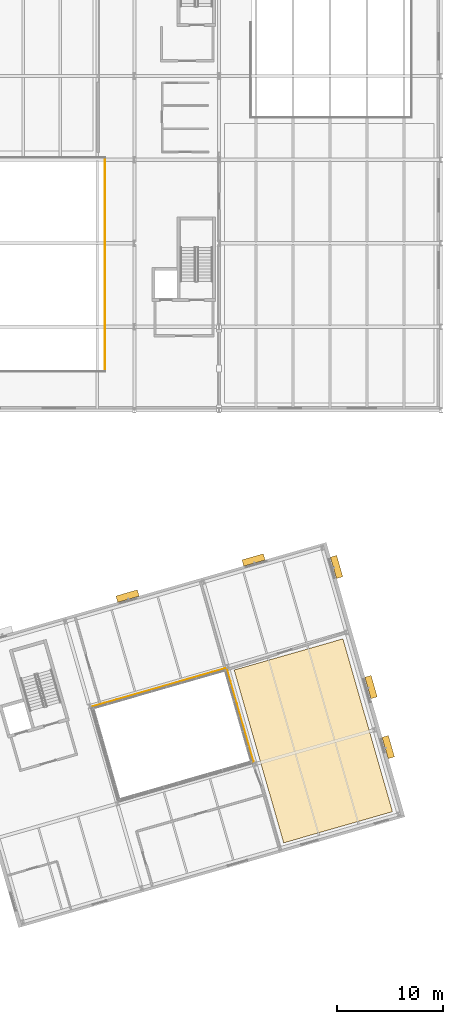
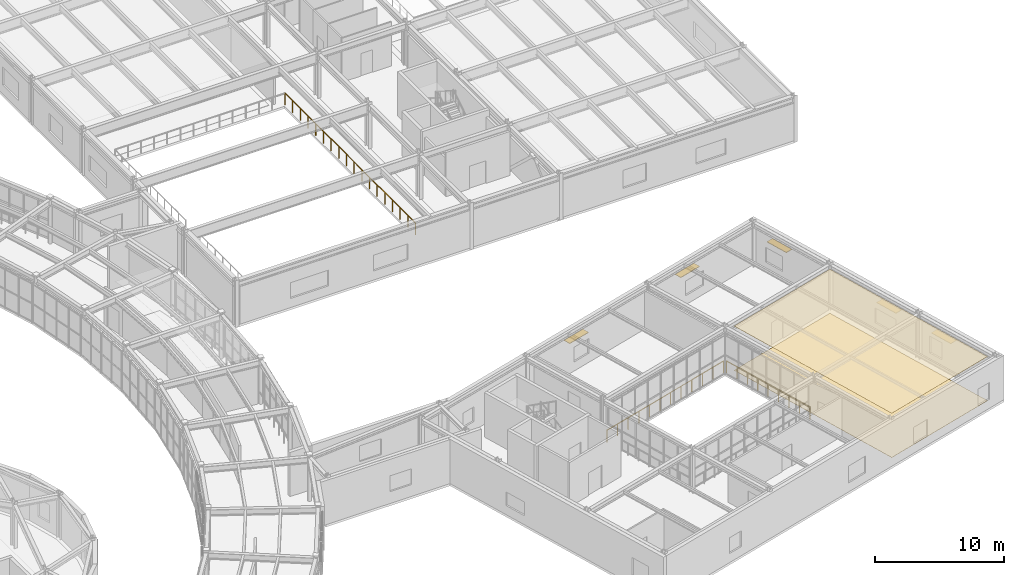
# One storey, part 101 of 103: 5 shading devices, 3 railings, 2 coverings.
"""IFC4 building model written with IfcOpenShell, lengths in metres."""

from ifc_helpers import new_model, si_unit, direction, frame, origin, origin_2d, place, context, subcontext, project, spatial, polyline, rectangle, circle, outline, extrude, material, layer, layer_set, type_object, element, save


model = new_model("IFC4")

# Units and contexts
model_context = context("Model", 3, precision=1e-05, world=origin(), true_north=direction((0.0, 1.0)))
body_context = subcontext(model_context, "Body", "Model", "MODEL_VIEW")
ifc_project = project(units=[si_unit("LENGTHUNIT", "METRE"), si_unit("AREAUNIT", "SQUARE_METRE"), si_unit("VOLUMEUNIT", "CUBIC_METRE"), si_unit("PLANEANGLEUNIT", "RADIAN"), si_unit("MASSUNIT", "GRAM", prefix="KILO")], contexts=[model_context])

# Site, building, storey
site_placement = place(None, origin())
site = spatial("IfcSite", under=ifc_project, at=site_placement, CompositionType="ELEMENT")
building_placement = place(site_placement, origin())
building = spatial("IfcBuilding", under=site, at=building_placement, Name="Varnklinge Art Gallery", CompositionType="ELEMENT")
storey_placement = place(building_placement, frame((0.0, 0.0, 5.10009765625)))
storey = spatial("IfcBuildingStorey", under=building, at=storey_placement, Name="L01", CompositionType="ELEMENT", Elevation=5.10009765625)

# Railings
ifc_material_1 = material(Name="Anodised Aluminium", Category="aluminium")
railing_type = type_object("IfcRailingType", Name="BAL-01", PredefinedType="BALUSTRADE", material=ifc_material_1)
railing_1_placement = place(storey_placement, frame((144.16162109375, 33.661376953125, 0.0)))
element("IfcRailing", 1, at=railing_1_placement, inside=storey, type_object=railing_type, Name="BAL-V6C-L01-2", PredefinedType="BALUSTRADE", context=body_context, shape_type="SweptSolid", body=[
    extrude(circle(Radius=0.02392578125, at=origin_2d()), frame((0.0, 0.0, 1.11572265625), z_axis=(0.275634611374, -0.96126248289, 0.0), x_axis=(0.96126248289, 0.275634611374, 0.0)), (0.0, 0.0, 1.0), 9.0),
    extrude(circle(Radius=0.02099609375, at=origin_2d()), origin(), (0.0, 0.0, 1.0), 1.091796875),
    extrude(circle(Radius=0.02099609375, at=origin_2d()), frame((0.31005859375, -1.08154296875, 0.0)), (0.0, 0.0, 1.0), 1.091796875),
    extrude(circle(Radius=0.02099609375, at=origin_2d()), frame((0.6201171875, -2.162841796875, 0.0)), (0.0, 0.0, 1.0), 1.091796875),
    extrude(circle(Radius=0.02099609375, at=origin_2d()), frame((0.93017578125, -3.244140625, 0.0)), (0.0, 0.0, 1.0), 1.091796875),
    extrude(circle(Radius=0.02099609375, at=origin_2d()), frame((1.240234375, -4.32568359375, 0.0)), (0.0, 0.0, 1.0), 1.091796875),
    extrude(circle(Radius=0.02099609375, at=origin_2d()), frame((1.550537109375, -5.4072265625, 0.0)), (0.0, 0.0, 1.0), 1.091796875),
    extrude(circle(Radius=0.02099609375, at=origin_2d()), frame((1.860595703125, -6.488525390625, 0.0)), (0.0, 0.0, 1.0), 1.091796875),
    extrude(circle(Radius=0.02099609375, at=origin_2d()), frame((2.170654296875, -7.56982421875, 0.0)), (0.0, 0.0, 1.0), 1.091796875),
    extrude(circle(Radius=0.02099609375, at=origin_2d()), frame((2.480712890625, -8.6513671875, 0.0)), (0.0, 0.0, 1.0), 1.091796875),
])
railing_2_placement = place(storey_placement, frame((131.46728515625, 30.187744140625, 0.0)))
element("IfcRailing", 2, at=railing_2_placement, inside=storey, type_object=railing_type, Name="BAL-V6C-L01-3", PredefinedType="BALUSTRADE", context=body_context, shape_type="SweptSolid", body=[
    extrude(circle(Radius=0.02392578125, at=origin_2d()), frame((0.0, 0.0, 1.11572265625), z_axis=(0.961262007285, 0.275636270019, 0.0), x_axis=(-0.275636270019, 0.961262007285, 0.0)), (0.0, 0.0, 1.0), 13.0),
    extrude(circle(Radius=0.02099609375, at=origin_2d()), origin(), (0.0, 0.0, 1.0), 1.091796875),
    extrude(circle(Radius=0.02099609375, at=origin_2d()), frame((1.135986328125, 0.32568359375, 0.0)), (0.0, 0.0, 1.0), 1.091796875),
    extrude(circle(Radius=0.02099609375, at=origin_2d()), frame((2.27197265625, 0.651611328125, 0.0)), (0.0, 0.0, 1.0), 1.091796875),
    extrude(circle(Radius=0.02099609375, at=origin_2d()), frame((3.408203125, 0.977294921875, 0.0)), (0.0, 0.0, 1.0), 1.091796875),
    extrude(circle(Radius=0.02099609375, at=origin_2d()), frame((4.544189453125, 1.302978515625, 0.0)), (0.0, 0.0, 1.0), 1.091796875),
    extrude(circle(Radius=0.02099609375, at=origin_2d()), frame((5.68017578125, 1.628662109375, 0.0)), (0.0, 0.0, 1.0), 1.091796875),
    extrude(circle(Radius=0.02099609375, at=origin_2d()), frame((6.816162109375, 1.95458984375, 0.0)), (0.0, 0.0, 1.0), 1.091796875),
    extrude(circle(Radius=0.02099609375, at=origin_2d()), frame((7.9521484375, 2.2802734375, 0.0)), (0.0, 0.0, 1.0), 1.091796875),
    extrude(circle(Radius=0.02099609375, at=origin_2d()), frame((9.088134765625, 2.60595703125, 0.0)), (0.0, 0.0, 1.0), 1.091796875),
    extrude(circle(Radius=0.02099609375, at=origin_2d()), frame((10.224365234375, 2.931640625, 0.0)), (0.0, 0.0, 1.0), 1.091796875),
    extrude(circle(Radius=0.02099609375, at=origin_2d()), frame((11.3603515625, 3.257568359375, 0.0)), (0.0, 0.0, 1.0), 1.091796875),
    extrude(circle(Radius=0.02099609375, at=origin_2d()), frame((12.496337890625, 3.583251953125, 0.0)), (0.0, 0.0, 1.0), 1.091796875),
])
railing_3_placement = place(storey_placement, frame((132.6201171875, 61.8798828125, 0.0)))
element("IfcRailing", 3, at=railing_3_placement, inside=storey, type_object=railing_type, Name="L01 Atrium Void Balustrade 1.1", PredefinedType="BALUSTRADE", context=body_context, shape_type="SweptSolid", body=[
    extrude(circle(Radius=0.02392578125, at=origin_2d()), frame((0.0, 0.0, 1.11572265625), z_axis=(0.0, 1.0, 0.0), x_axis=(-1.0, 0.0, 0.0)), (0.0, 0.0, 1.0), 20.240234375),
    extrude(circle(Radius=0.02099609375, at=origin_2d()), origin(), (0.0, 0.0, 1.0), 1.091796875),
    extrude(circle(Radius=0.02099609375, at=origin_2d()), frame((0.0, 1.190673828125, 0.0)), (0.0, 0.0, 1.0), 1.091796875),
    extrude(circle(Radius=0.02099609375, at=origin_2d()), frame((0.0, 2.381103515625, 0.0)), (0.0, 0.0, 1.0), 1.091796875),
    extrude(circle(Radius=0.02099609375, at=origin_2d()), frame((0.0, 3.57177734375, 0.0)), (0.0, 0.0, 1.0), 1.091796875),
    extrude(circle(Radius=0.02099609375, at=origin_2d()), frame((0.0, 4.762451171875, 0.0)), (0.0, 0.0, 1.0), 1.091796875),
    extrude(circle(Radius=0.02099609375, at=origin_2d()), frame((0.0, 5.953125, 0.0)), (0.0, 0.0, 1.0), 1.091796875),
    extrude(circle(Radius=0.02099609375, at=origin_2d()), frame((0.0, 7.1435546875, 0.0)), (0.0, 0.0, 1.0), 1.091796875),
    extrude(circle(Radius=0.02099609375, at=origin_2d()), frame((0.0, 8.334228515625, 0.0)), (0.0, 0.0, 1.0), 1.091796875),
    extrude(circle(Radius=0.02099609375, at=origin_2d()), frame((0.0, 9.52490234375, 0.0)), (0.0, 0.0, 1.0), 1.091796875),
    extrude(circle(Radius=0.02099609375, at=origin_2d()), frame((0.0, 10.71533203125, 0.0)), (0.0, 0.0, 1.0), 1.091796875),
    extrude(circle(Radius=0.02099609375, at=origin_2d()), frame((0.0, 11.906005859375, 0.0)), (0.0, 0.0, 1.0), 1.091796875),
    extrude(circle(Radius=0.02099609375, at=origin_2d()), frame((0.0, 13.0966796875, 0.0)), (0.0, 0.0, 1.0), 1.091796875),
    extrude(circle(Radius=0.02099609375, at=origin_2d()), frame((0.0, 14.287109375, 0.0)), (0.0, 0.0, 1.0), 1.091796875),
    extrude(circle(Radius=0.02099609375, at=origin_2d()), frame((0.0, 15.477783203125, 0.0)), (0.0, 0.0, 1.0), 1.091796875),
    extrude(circle(Radius=0.02099609375, at=origin_2d()), frame((0.0, 16.66845703125, 0.0)), (0.0, 0.0, 1.0), 1.091796875),
    extrude(circle(Radius=0.02099609375, at=origin_2d()), frame((0.0, 17.859130859375, 0.0)), (0.0, 0.0, 1.0), 1.091796875),
    extrude(circle(Radius=0.02099609375, at=origin_2d()), frame((0.0, 19.049560546875, 0.0)), (0.0, 0.0, 1.0), 1.091796875),
    extrude(circle(Radius=0.02099609375, at=origin_2d()), frame((0.0, 20.240234375, 0.0)), (0.0, 0.0, 1.0), 1.091796875),
])

# Coverings
ifc_material_2 = material(Name="Acoustic Mineral Tile", Category="mineral")
ifc_layer_1 = layer(ifc_material_2, 0.02490234375)
ifc_layer_set_1 = layer_set([ifc_layer_1], Name="Acoustic Mineral Tile")
covering_type_1 = type_object("IfcCoveringType", Name="CLG-AC", PredefinedType="CEILING", material=ifc_layer_set_1)
covering_1_placement = place(storey_placement, frame((0.0, 0.0, 4.1748046875)))
element("IfcCovering", 4, at=covering_1_placement, inside=storey, type_object=covering_type_1, Name="L01 Acoustic Mineral Ceiling 029", PredefinedType="CEILING", context=body_context, shape_type="SweptSolid", body=[
    extrude(outline(polyline([(159.80322265625, 20.25341796875), (155.117431640625, 36.594970703125), (144.83203125, 33.6455078125), (149.517822265625, 17.30419921875), (159.80322265625, 20.25341796875)])), origin(), (0.0, 0.0, 1.0), 0.025146484375),
])
ifc_material_3 = material(Name="Polished Terrazzo Flooring", Category="stone")
ifc_layer_2 = layer(ifc_material_3, 0.02001953125)
ifc_layer_set_2 = layer_set([ifc_layer_2], Name="Polished Terrazzo Flooring")
covering_type_2 = type_object("IfcCoveringType", Name="FLR-STN", PredefinedType="FLOORING", material=ifc_layer_set_2)
covering_2_placement = place(storey_placement, origin())
element("IfcCovering", 5, at=covering_2_placement, inside=storey, type_object=covering_type_2, Name="L01 Gallery Terrazzo Flooring 029", PredefinedType="FLOORING", context=body_context, shape_type="SweptSolid", body=[
    extrude(outline(polyline([(159.80322265625, 20.25341796875), (155.117431640625, 36.594970703125), (144.83203125, 33.6455078125), (149.517822265625, 17.30419921875), (159.80322265625, 20.25341796875)])), origin(), (0.0, 0.0, 1.0), 0.02001953125),
])

# Shading devices
ifc_material_4 = material(Name="Anodised Aluminium", Category="aluminium")
ifc_layer_3 = layer(ifc_material_4, 0.044921875)
ifc_layer_set_3 = layer_set([ifc_layer_3], Name="Anodised Aluminium")
shading_device_type = type_object("IfcShadingDeviceType", Name="SHD-FIN", PredefinedType="JALOUSIE", material=ifc_layer_set_3)
for number, where, z_axis, x_axis, name in (
    (6, (134.750732421875, 40.6376953125, 2.47509765625), (0.0, 0.0, 1.0), (0.961261695938, 0.275637355817, 0.0), "L01 Studio Solar Brise-Soleil Fin EW-V6-L01-02.3"),
    (7, (146.666015625, 44.05419921875, 2.47509765625), (0.0, 0.0, 1.0), (0.961261695938, 0.275637355817, 0.0), "L01 Studio Solar Brise-Soleil Fin EW-V6-L01-02.5"),
    (8, (154.520263671875, 43.3935546875, 2.47509765625), (0.0, 0.0, 1.0), (0.275637355817, -0.961261695938, 0.0), "L01 Studio Solar Brise-Soleil Fin EW-V6-L01-03.1"),
    (9, (157.777099609375, 32.036376953125, 2.47509765625), (0.0, 0.0, 1.0), (0.275637355817, -0.961261695938, 0.0), "L01 Studio Solar Brise-Soleil Fin EW-V6-L01-03.3"),
    (10, (159.4052734375, 26.357666015625, 2.47509765625), (0.0, 0.0, 1.0), (0.275637355817, -0.961261695938, 0.0), "L01 Studio Solar Brise-Soleil Fin EW-V6-L01-03.4"),
):
    element("IfcShadingDevice", number, at=place(storey_placement, frame(where, z_axis=z_axis, x_axis=x_axis)), inside=storey, type_object=shading_device_type, Name=name, PredefinedType="JALOUSIE", context=body_context, shape_type="SweptSolid", body=[
        extrude(rectangle(XDim=2.10009765625, YDim=0.6201171875, at=origin_2d()), origin(), (0.0, 0.0, 1.0), 0.050048828125),
    ])

save(model, "model.ifc")
